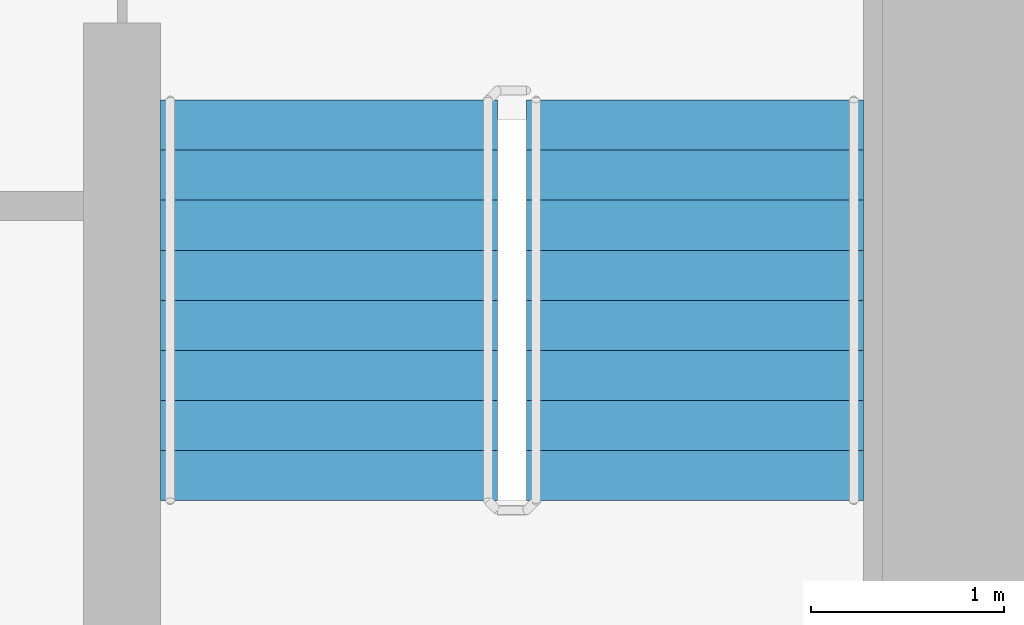
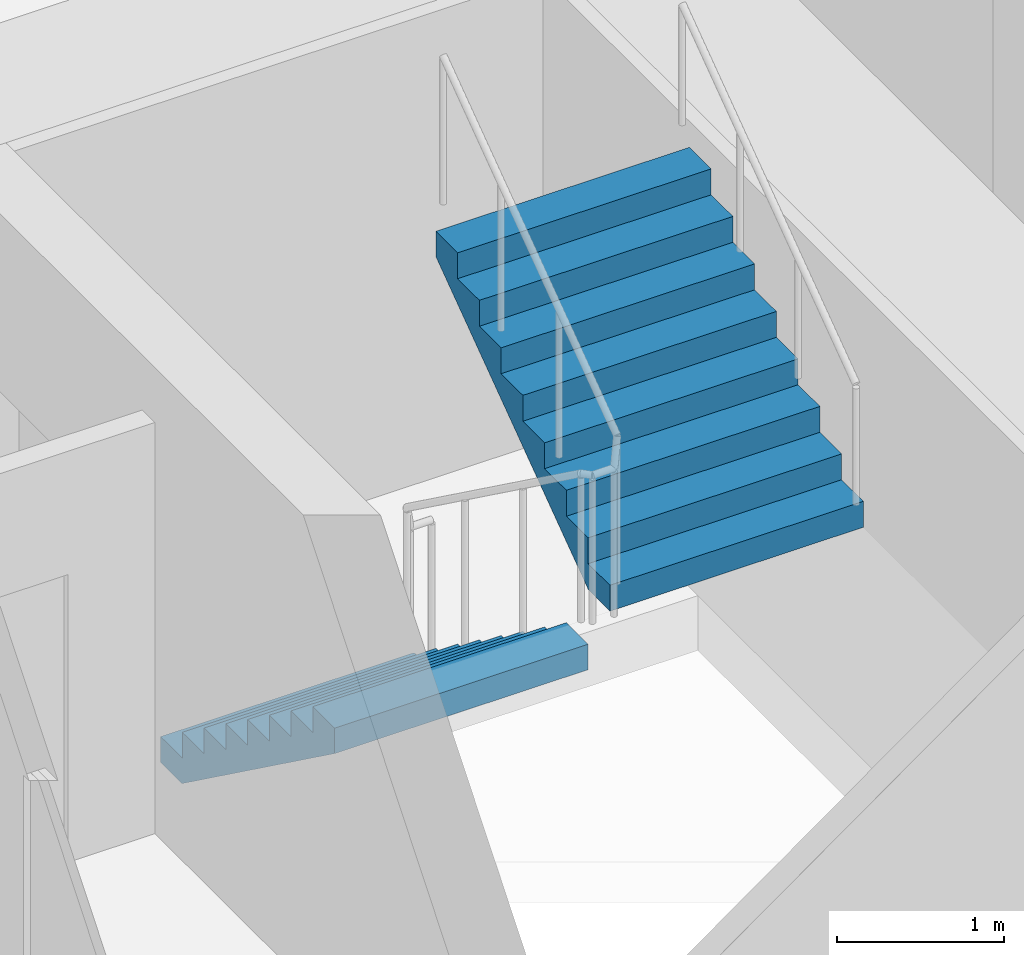
# One storey, part 20 of 25: 2 stair flights, 1 element without a shape of its own.
"""IFC4 building model written with IfcOpenShell, lengths in metres."""

from ifc_helpers import new_model, si_unit, direction, frame, origin, place, context, subcontext, project, spatial, faceted_brep, material, type_object, element, aggregate, save


model = new_model("IFC4")

# Units and contexts
model_context = context("Model", 3, precision=1e-05, world=origin(), true_north=direction((0.0, 1.0)))
body_context = subcontext(model_context, "Body", "Model", "MODEL_VIEW")
ifc_project = project(units=[si_unit("LENGTHUNIT", "METRE"), si_unit("AREAUNIT", "SQUARE_METRE"), si_unit("VOLUMEUNIT", "CUBIC_METRE"), si_unit("PLANEANGLEUNIT", "RADIAN"), si_unit("MASSUNIT", "GRAM", prefix="KILO")], contexts=[model_context])

# Site, building, storey
site_placement = place(None, origin())
site = spatial("IfcSite", under=ifc_project, at=site_placement, CompositionType="ELEMENT")
building_placement = place(site_placement, origin())
building = spatial("IfcBuilding", under=site, at=building_placement, Name="Ipe Terrace Towers", CompositionType="ELEMENT")
storey_placement = place(building_placement, frame((0.0, 0.0, 58.5)))
storey = spatial("IfcBuildingStorey", under=building, at=storey_placement, Name="L15", CompositionType="ELEMENT", Elevation=58.5)

# Stair, stair flights
ifc_material_1 = material(Name="Concrete C30/37", Category="concrete")
stair_type = type_object("IfcStairType", Name="Protected exit stair", PredefinedType="HALF_TURN_STAIR", material=ifc_material_1)
stair_placement = place(storey_placement, origin())
stair = element("IfcStair", 1, at=stair_placement, inside=storey, type_object=stair_type, Name="L15 Exit stair T2-C2", PredefinedType="HALF_TURN_STAIR")
ifc_material_2 = material(Name="Concrete C30/37", Category="concrete")
stair_flight_type = type_object("IfcStairFlightType", Name="Exit stair flight 1750", PredefinedType="STRAIGHT", material=ifc_material_2)
stair_flight_1_placement = place(storey_placement, frame((38.77490234375, -9.699951171875, 0.0), z_axis=(0.0, 0.0, 1.0), x_axis=(0.0, -1.0, 0.0)))
stair_flight_1 = element("IfcStairFlight", 2, at=stair_flight_1_placement, type_object=stair_flight_type, Name="T2-ST2 flight 1", NumberOfRisers=9, NumberOfTreads=8, PredefinedType="STRAIGHT", RiserHeight=0.188888889, TreadLength=0.26, context=body_context, shape_type="Brep", body=[
    faceted_brep([(0.255126953125, -0.875, 0.0), (2.080078125, -0.875, 1.325927734375), (2.080078125, -0.875, 1.51123046875), (1.820068359375, -0.875, 1.51123046875), (1.820068359375, -0.875, 1.322265625), (1.56005859375, -0.875, 1.322265625), (1.56005859375, -0.875, 1.13330078125), (1.300048828125, -0.875, 1.13330078125), (1.300048828125, -0.875, 0.9443359375), (1.0400390625, -0.875, 0.9443359375), (1.0400390625, -0.875, 0.755615234375), (0.780029296875, -0.875, 0.755615234375), (0.780029296875, -0.875, 0.566650390625), (0.52001953125, -0.875, 0.566650390625), (0.52001953125, -0.875, 0.377685546875), (0.260009765625, -0.875, 0.377685546875), (0.260009765625, -0.875, 0.18896484375), (0.0, -0.875, 0.18896484375), (0.0, -0.875, 0.0), (0.0, 0.875, 0.0), (0.0, 0.875, 0.18896484375), (0.260009765625, 0.875, 0.18896484375), (0.260009765625, 0.875, 0.377685546875), (0.52001953125, 0.875, 0.377685546875), (0.52001953125, 0.875, 0.566650390625), (0.780029296875, 0.875, 0.566650390625), (0.780029296875, 0.875, 0.755615234375), (1.0400390625, 0.875, 0.755615234375), (1.0400390625, 0.875, 0.9443359375), (1.300048828125, 0.875, 0.9443359375), (1.300048828125, 0.875, 1.13330078125), (1.56005859375, 0.875, 1.13330078125), (1.56005859375, 0.875, 1.322265625), (1.820068359375, 0.875, 1.322265625), (1.820068359375, 0.875, 1.51123046875), (2.080078125, 0.875, 1.51123046875), (2.080078125, 0.875, 1.325927734375), (0.255126953125, 0.875, 0.0), (0.0, -0.300048828125, 0.18896484375), (0.0, -0.1201171875, 0.18896484375), (0.0, -0.06005859375, 0.18896484375), (0.0, -0.030029296875, 0.18896484375), (0.0, -0.010009765625, 0.18896484375), (0.0, 0.0, 0.18896484375), (0.0, 0.010009765625, 0.18896484375), (0.0, 0.030029296875, 0.18896484375), (0.0, 0.06005859375, 0.18896484375), (0.0, 0.1201171875, 0.18896484375), (0.0, 0.300048828125, 0.18896484375), (0.0, 0.300048828125, 0.0), (0.0, 0.1201171875, 0.0), (0.0, 0.06005859375, 0.0), (0.0, 0.030029296875, 0.0), (0.0, 0.010009765625, 0.0), (0.0, 0.0, 0.0), (0.0, -0.010009765625, 0.0), (0.0, -0.030029296875, 0.0), (0.0, -0.06005859375, 0.0), (0.0, -0.1201171875, 0.0), (0.0, -0.300048828125, 0.0), (0.260009765625, -0.300048828125, 0.18896484375), (0.260009765625, -0.1201171875, 0.18896484375), (0.260009765625, -0.06005859375, 0.18896484375), (0.260009765625, -0.030029296875, 0.18896484375), (0.260009765625, -0.010009765625, 0.18896484375), (0.260009765625, 0.0, 0.18896484375), (0.260009765625, 0.010009765625, 0.18896484375), (0.260009765625, 0.030029296875, 0.18896484375), (0.260009765625, 0.06005859375, 0.18896484375), (0.260009765625, 0.1201171875, 0.18896484375), (0.260009765625, 0.300048828125, 0.18896484375), (0.260009765625, -0.300048828125, 0.377685546875), (0.260009765625, -0.1201171875, 0.377685546875), (0.260009765625, -0.06005859375, 0.377685546875), (0.260009765625, -0.030029296875, 0.377685546875), (0.260009765625, -0.010009765625, 0.377685546875), (0.260009765625, 0.0, 0.377685546875), (0.260009765625, 0.010009765625, 0.377685546875), (0.260009765625, 0.030029296875, 0.377685546875), (0.260009765625, 0.06005859375, 0.377685546875), (0.260009765625, 0.1201171875, 0.377685546875), (0.260009765625, 0.300048828125, 0.377685546875), (0.52001953125, -0.300048828125, 0.377685546875), (0.52001953125, -0.1201171875, 0.377685546875), (0.52001953125, -0.06005859375, 0.377685546875), (0.52001953125, -0.030029296875, 0.377685546875), (0.52001953125, -0.010009765625, 0.377685546875), (0.52001953125, 0.0, 0.377685546875), (0.52001953125, 0.010009765625, 0.377685546875), (0.52001953125, 0.030029296875, 0.377685546875), (0.52001953125, 0.06005859375, 0.377685546875), (0.52001953125, 0.1201171875, 0.377685546875), (0.52001953125, 0.300048828125, 0.377685546875), (0.52001953125, -0.300048828125, 0.566650390625), (0.52001953125, -0.1201171875, 0.566650390625), (0.52001953125, -0.06005859375, 0.566650390625), (0.52001953125, -0.030029296875, 0.566650390625), (0.52001953125, -0.010009765625, 0.566650390625), (0.52001953125, 0.0, 0.566650390625), (0.52001953125, 0.010009765625, 0.566650390625), (0.52001953125, 0.030029296875, 0.566650390625), (0.52001953125, 0.06005859375, 0.566650390625), (0.52001953125, 0.1201171875, 0.566650390625), (0.52001953125, 0.300048828125, 0.566650390625), (0.780029296875, -0.300048828125, 0.566650390625), (0.780029296875, -0.1201171875, 0.566650390625), (0.780029296875, -0.06005859375, 0.566650390625), (0.780029296875, -0.030029296875, 0.566650390625), (0.780029296875, -0.010009765625, 0.566650390625), (0.780029296875, 0.0, 0.566650390625), (0.780029296875, 0.010009765625, 0.566650390625), (0.780029296875, 0.030029296875, 0.566650390625), (0.780029296875, 0.06005859375, 0.566650390625), (0.780029296875, 0.1201171875, 0.566650390625), (0.780029296875, 0.300048828125, 0.566650390625), (0.780029296875, -0.300048828125, 0.755615234375), (0.780029296875, -0.1201171875, 0.755615234375), (0.780029296875, -0.06005859375, 0.755615234375), (0.780029296875, -0.030029296875, 0.755615234375), (0.780029296875, -0.010009765625, 0.755615234375), (0.780029296875, 0.0, 0.755615234375), (0.780029296875, 0.010009765625, 0.755615234375), (0.780029296875, 0.030029296875, 0.755615234375), (0.780029296875, 0.06005859375, 0.755615234375), (0.780029296875, 0.1201171875, 0.755615234375), (0.780029296875, 0.300048828125, 0.755615234375), (1.0400390625, -0.300048828125, 0.755615234375), (1.0400390625, -0.1201171875, 0.755615234375), (1.0400390625, -0.06005859375, 0.755615234375), (1.0400390625, -0.030029296875, 0.755615234375), (1.0400390625, -0.010009765625, 0.755615234375), (1.0400390625, 0.0, 0.755615234375), (1.0400390625, 0.010009765625, 0.755615234375), (1.0400390625, 0.030029296875, 0.755615234375), (1.0400390625, 0.06005859375, 0.755615234375), (1.0400390625, 0.1201171875, 0.755615234375), (1.0400390625, 0.300048828125, 0.755615234375), (1.0400390625, -0.300048828125, 0.9443359375), (1.0400390625, -0.1201171875, 0.9443359375), (1.0400390625, -0.06005859375, 0.9443359375), (1.0400390625, -0.030029296875, 0.9443359375), (1.0400390625, -0.010009765625, 0.9443359375), (1.0400390625, 0.0, 0.9443359375), (1.0400390625, 0.010009765625, 0.9443359375), (1.0400390625, 0.030029296875, 0.9443359375), (1.0400390625, 0.06005859375, 0.9443359375), (1.0400390625, 0.1201171875, 0.9443359375), (1.0400390625, 0.300048828125, 0.9443359375), (1.300048828125, -0.300048828125, 0.9443359375), (1.300048828125, -0.1201171875, 0.9443359375), (1.300048828125, -0.06005859375, 0.9443359375), (1.300048828125, -0.030029296875, 0.9443359375), (1.300048828125, -0.010009765625, 0.9443359375), (1.300048828125, 0.0, 0.9443359375), (1.300048828125, 0.010009765625, 0.9443359375), (1.300048828125, 0.030029296875, 0.9443359375), (1.300048828125, 0.06005859375, 0.9443359375), (1.300048828125, 0.1201171875, 0.9443359375), (1.300048828125, 0.300048828125, 0.9443359375), (1.300048828125, -0.300048828125, 1.13330078125), (1.300048828125, -0.1201171875, 1.13330078125), (1.300048828125, -0.06005859375, 1.13330078125), (1.300048828125, -0.030029296875, 1.13330078125), (1.300048828125, -0.010009765625, 1.13330078125), (1.300048828125, 0.0, 1.13330078125), (1.300048828125, 0.010009765625, 1.13330078125), (1.300048828125, 0.030029296875, 1.13330078125), (1.300048828125, 0.06005859375, 1.13330078125), (1.300048828125, 0.1201171875, 1.13330078125), (1.300048828125, 0.300048828125, 1.13330078125), (1.56005859375, -0.300048828125, 1.13330078125), (1.56005859375, -0.1201171875, 1.13330078125), (1.56005859375, -0.06005859375, 1.13330078125), (1.56005859375, -0.030029296875, 1.13330078125), (1.56005859375, -0.010009765625, 1.13330078125), (1.56005859375, 0.0, 1.13330078125), (1.56005859375, 0.010009765625, 1.13330078125), (1.56005859375, 0.030029296875, 1.13330078125), (1.56005859375, 0.06005859375, 1.13330078125), (1.56005859375, 0.1201171875, 1.13330078125), (1.56005859375, 0.300048828125, 1.13330078125), (1.56005859375, -0.300048828125, 1.322265625), (1.56005859375, -0.1201171875, 1.322265625), (1.56005859375, -0.06005859375, 1.322265625), (1.56005859375, -0.030029296875, 1.322265625), (1.56005859375, -0.010009765625, 1.322265625), (1.56005859375, 0.0, 1.322265625), (1.56005859375, 0.010009765625, 1.322265625), (1.56005859375, 0.030029296875, 1.322265625), (1.56005859375, 0.06005859375, 1.322265625), (1.56005859375, 0.1201171875, 1.322265625), (1.56005859375, 0.300048828125, 1.322265625), (1.820068359375, -0.300048828125, 1.322265625), (1.820068359375, -0.1201171875, 1.322265625), (1.820068359375, -0.06005859375, 1.322265625), (1.820068359375, -0.030029296875, 1.322265625), (1.820068359375, -0.010009765625, 1.322265625), (1.820068359375, 0.0, 1.322265625), (1.820068359375, 0.010009765625, 1.322265625), (1.820068359375, 0.030029296875, 1.322265625), (1.820068359375, 0.06005859375, 1.322265625), (1.820068359375, 0.1201171875, 1.322265625), (1.820068359375, 0.300048828125, 1.322265625), (1.820068359375, -0.300048828125, 1.51123046875), (1.820068359375, -0.1201171875, 1.51123046875), (1.820068359375, -0.06005859375, 1.51123046875), (1.820068359375, -0.030029296875, 1.51123046875), (1.820068359375, -0.010009765625, 1.51123046875), (1.820068359375, 0.0, 1.51123046875), (1.820068359375, 0.010009765625, 1.51123046875), (1.820068359375, 0.030029296875, 1.51123046875), (1.820068359375, 0.06005859375, 1.51123046875), (1.820068359375, 0.1201171875, 1.51123046875), (1.820068359375, 0.300048828125, 1.51123046875), (2.080078125, -0.300048828125, 1.51123046875), (2.080078125, -0.1201171875, 1.51123046875), (2.080078125, -0.06005859375, 1.51123046875), (2.080078125, -0.030029296875, 1.51123046875), (2.080078125, -0.010009765625, 1.51123046875), (2.080078125, 0.0, 1.51123046875), (2.080078125, 0.010009765625, 1.51123046875), (2.080078125, 0.030029296875, 1.51123046875), (2.080078125, 0.06005859375, 1.51123046875), (2.080078125, 0.1201171875, 1.51123046875), (2.080078125, 0.300048828125, 1.51123046875), (2.080078125, -0.300048828125, 1.325927734375), (2.080078125, -0.1201171875, 1.325927734375), (2.080078125, -0.06005859375, 1.325927734375), (2.080078125, -0.030029296875, 1.325927734375), (2.080078125, -0.010009765625, 1.325927734375), (2.080078125, 0.0, 1.325927734375), (2.080078125, 0.010009765625, 1.325927734375), (2.080078125, 0.030029296875, 1.325927734375), (2.080078125, 0.06005859375, 1.325927734375), (2.080078125, 0.1201171875, 1.325927734375), (2.080078125, 0.300048828125, 1.325927734375), (0.255126953125, -0.300048828125, 0.0), (0.255126953125, -0.1201171875, 0.0), (0.255126953125, -0.06005859375, 0.0), (0.255126953125, -0.030029296875, 0.0), (0.255126953125, -0.010009765625, 0.0), (0.255126953125, 0.0, 0.0), (0.255126953125, 0.010009765625, 0.0), (0.255126953125, 0.030029296875, 0.0), (0.255126953125, 0.06005859375, 0.0), (0.255126953125, 0.1201171875, 0.0), (0.255126953125, 0.300048828125, 0.0)], [[[0, 1, 2, 3, 4, 5, 6, 7, 8, 9, 10, 11, 12, 13, 14, 15, 16, 17, 18]], [[19, 20, 21, 22, 23, 24, 25, 26, 27, 28, 29, 30, 31, 32, 33, 34, 35, 36, 37]], [[17, 38, 39, 40, 41, 42, 43, 44, 45, 46, 47, 48, 20, 19, 49, 50, 51, 52, 53, 54, 55, 56, 57, 58, 59, 18]], [[16, 60, 61, 62, 63, 64, 65, 66, 67, 68, 69, 70, 21, 20, 48, 47, 46, 45, 44, 43, 42, 41, 40, 39, 38, 17]], [[15, 71, 72, 73, 74, 75, 76, 77, 78, 79, 80, 81, 22, 21, 70, 69, 68, 67, 66, 65, 64, 63, 62, 61, 60, 16]], [[14, 82, 83, 84, 85, 86, 87, 88, 89, 90, 91, 92, 23, 22, 81, 80, 79, 78, 77, 76, 75, 74, 73, 72, 71, 15]], [[13, 93, 94, 95, 96, 97, 98, 99, 100, 101, 102, 103, 24, 23, 92, 91, 90, 89, 88, 87, 86, 85, 84, 83, 82, 14]], [[12, 104, 105, 106, 107, 108, 109, 110, 111, 112, 113, 114, 25, 24, 103, 102, 101, 100, 99, 98, 97, 96, 95, 94, 93, 13]], [[11, 115, 116, 117, 118, 119, 120, 121, 122, 123, 124, 125, 26, 25, 114, 113, 112, 111, 110, 109, 108, 107, 106, 105, 104, 12]], [[10, 126, 127, 128, 129, 130, 131, 132, 133, 134, 135, 136, 27, 26, 125, 124, 123, 122, 121, 120, 119, 118, 117, 116, 115, 11]], [[9, 137, 138, 139, 140, 141, 142, 143, 144, 145, 146, 147, 28, 27, 136, 135, 134, 133, 132, 131, 130, 129, 128, 127, 126, 10]], [[8, 148, 149, 150, 151, 152, 153, 154, 155, 156, 157, 158, 29, 28, 147, 146, 145, 144, 143, 142, 141, 140, 139, 138, 137, 9]], [[7, 159, 160, 161, 162, 163, 164, 165, 166, 167, 168, 169, 30, 29, 158, 157, 156, 155, 154, 153, 152, 151, 150, 149, 148, 8]], [[6, 170, 171, 172, 173, 174, 175, 176, 177, 178, 179, 180, 31, 30, 169, 168, 167, 166, 165, 164, 163, 162, 161, 160, 159, 7]], [[5, 181, 182, 183, 184, 185, 186, 187, 188, 189, 190, 191, 32, 31, 180, 179, 178, 177, 176, 175, 174, 173, 172, 171, 170, 6]], [[4, 192, 193, 194, 195, 196, 197, 198, 199, 200, 201, 202, 33, 32, 191, 190, 189, 188, 187, 186, 185, 184, 183, 182, 181, 5]], [[3, 203, 204, 205, 206, 207, 208, 209, 210, 211, 212, 213, 34, 33, 202, 201, 200, 199, 198, 197, 196, 195, 194, 193, 192, 4]], [[2, 214, 215, 216, 217, 218, 219, 220, 221, 222, 223, 224, 35, 34, 213, 212, 211, 210, 209, 208, 207, 206, 205, 204, 203, 3]], [[1, 225, 226, 227, 228, 229, 230, 231, 232, 233, 234, 235, 36, 35, 224, 223, 222, 221, 220, 219, 218, 217, 216, 215, 214, 2]], [[0, 236, 237, 238, 239, 240, 241, 242, 243, 244, 245, 246, 37, 36, 235, 234, 233, 232, 231, 230, 229, 228, 227, 226, 225, 1]], [[18, 59, 58, 57, 56, 55, 54, 53, 52, 51, 50, 49, 19, 37, 246, 245, 244, 243, 242, 241, 240, 239, 238, 237, 236, 0]]]),
])
stair_flight_2_placement = place(storey_placement, frame((40.675048828125, -11.780029296875, 1.699951171875), z_axis=(0.0, 0.0, 1.0), x_axis=(0.0, 1.0, 0.0)))
stair_flight_2 = element("IfcStairFlight", 3, at=stair_flight_2_placement, type_object=stair_flight_type, Name="T2-ST2 flight 2", NumberOfRisers=9, NumberOfTreads=8, PredefinedType="STRAIGHT", RiserHeight=0.188888889, TreadLength=0.26, context=body_context, shape_type="Brep", body=[
    faceted_brep([(0.255126953125, -0.875, 0.0), (2.080078125, -0.875, 1.325927734375), (2.080078125, -0.875, 1.51123046875), (1.820068359375, -0.875, 1.51123046875), (1.820068359375, -0.875, 1.322265625), (1.56005859375, -0.875, 1.322265625), (1.56005859375, -0.875, 1.13330078125), (1.300048828125, -0.875, 1.13330078125), (1.300048828125, -0.875, 0.9443359375), (1.0400390625, -0.875, 0.9443359375), (1.0400390625, -0.875, 0.755615234375), (0.780029296875, -0.875, 0.755615234375), (0.780029296875, -0.875, 0.566650390625), (0.52001953125, -0.875, 0.566650390625), (0.52001953125, -0.875, 0.377685546875), (0.260009765625, -0.875, 0.377685546875), (0.260009765625, -0.875, 0.18896484375), (0.0, -0.875, 0.18896484375), (0.0, -0.875, 0.0), (0.0, 0.875, 0.0), (0.0, 0.875, 0.18896484375), (0.260009765625, 0.875, 0.18896484375), (0.260009765625, 0.875, 0.377685546875), (0.52001953125, 0.875, 0.377685546875), (0.52001953125, 0.875, 0.566650390625), (0.780029296875, 0.875, 0.566650390625), (0.780029296875, 0.875, 0.755615234375), (1.0400390625, 0.875, 0.755615234375), (1.0400390625, 0.875, 0.9443359375), (1.300048828125, 0.875, 0.9443359375), (1.300048828125, 0.875, 1.13330078125), (1.56005859375, 0.875, 1.13330078125), (1.56005859375, 0.875, 1.322265625), (1.820068359375, 0.875, 1.322265625), (1.820068359375, 0.875, 1.51123046875), (2.080078125, 0.875, 1.51123046875), (2.080078125, 0.875, 1.325927734375), (0.255126953125, 0.875, 0.0), (0.0, -0.300048828125, 0.18896484375), (0.0, -0.1201171875, 0.18896484375), (0.0, -0.06005859375, 0.18896484375), (0.0, -0.030029296875, 0.18896484375), (0.0, -0.010009765625, 0.18896484375), (0.0, 0.0, 0.18896484375), (0.0, 0.010009765625, 0.18896484375), (0.0, 0.030029296875, 0.18896484375), (0.0, 0.06005859375, 0.18896484375), (0.0, 0.1201171875, 0.18896484375), (0.0, 0.300048828125, 0.18896484375), (0.0, 0.300048828125, 0.0), (0.0, 0.1201171875, 0.0), (0.0, 0.06005859375, 0.0), (0.0, 0.030029296875, 0.0), (0.0, 0.010009765625, 0.0), (0.0, 0.0, 0.0), (0.0, -0.010009765625, 0.0), (0.0, -0.030029296875, 0.0), (0.0, -0.06005859375, 0.0), (0.0, -0.1201171875, 0.0), (0.0, -0.300048828125, 0.0), (0.260009765625, -0.300048828125, 0.18896484375), (0.260009765625, -0.1201171875, 0.18896484375), (0.260009765625, -0.06005859375, 0.18896484375), (0.260009765625, -0.030029296875, 0.18896484375), (0.260009765625, -0.010009765625, 0.18896484375), (0.260009765625, 0.0, 0.18896484375), (0.260009765625, 0.010009765625, 0.18896484375), (0.260009765625, 0.030029296875, 0.18896484375), (0.260009765625, 0.06005859375, 0.18896484375), (0.260009765625, 0.1201171875, 0.18896484375), (0.260009765625, 0.300048828125, 0.18896484375), (0.260009765625, -0.300048828125, 0.377685546875), (0.260009765625, -0.1201171875, 0.377685546875), (0.260009765625, -0.06005859375, 0.377685546875), (0.260009765625, -0.030029296875, 0.377685546875), (0.260009765625, -0.010009765625, 0.377685546875), (0.260009765625, 0.0, 0.377685546875), (0.260009765625, 0.010009765625, 0.377685546875), (0.260009765625, 0.030029296875, 0.377685546875), (0.260009765625, 0.06005859375, 0.377685546875), (0.260009765625, 0.1201171875, 0.377685546875), (0.260009765625, 0.300048828125, 0.377685546875), (0.52001953125, -0.300048828125, 0.377685546875), (0.52001953125, -0.1201171875, 0.377685546875), (0.52001953125, -0.06005859375, 0.377685546875), (0.52001953125, -0.030029296875, 0.377685546875), (0.52001953125, -0.010009765625, 0.377685546875), (0.52001953125, 0.0, 0.377685546875), (0.52001953125, 0.010009765625, 0.377685546875), (0.52001953125, 0.030029296875, 0.377685546875), (0.52001953125, 0.06005859375, 0.377685546875), (0.52001953125, 0.1201171875, 0.377685546875), (0.52001953125, 0.300048828125, 0.377685546875), (0.52001953125, -0.300048828125, 0.566650390625), (0.52001953125, -0.1201171875, 0.566650390625), (0.52001953125, -0.06005859375, 0.566650390625), (0.52001953125, -0.030029296875, 0.566650390625), (0.52001953125, -0.010009765625, 0.566650390625), (0.52001953125, 0.0, 0.566650390625), (0.52001953125, 0.010009765625, 0.566650390625), (0.52001953125, 0.030029296875, 0.566650390625), (0.52001953125, 0.06005859375, 0.566650390625), (0.52001953125, 0.1201171875, 0.566650390625), (0.52001953125, 0.300048828125, 0.566650390625), (0.780029296875, -0.300048828125, 0.566650390625), (0.780029296875, -0.1201171875, 0.566650390625), (0.780029296875, -0.06005859375, 0.566650390625), (0.780029296875, -0.030029296875, 0.566650390625), (0.780029296875, -0.010009765625, 0.566650390625), (0.780029296875, 0.0, 0.566650390625), (0.780029296875, 0.010009765625, 0.566650390625), (0.780029296875, 0.030029296875, 0.566650390625), (0.780029296875, 0.06005859375, 0.566650390625), (0.780029296875, 0.1201171875, 0.566650390625), (0.780029296875, 0.300048828125, 0.566650390625), (0.780029296875, -0.300048828125, 0.755615234375), (0.780029296875, -0.1201171875, 0.755615234375), (0.780029296875, -0.06005859375, 0.755615234375), (0.780029296875, -0.030029296875, 0.755615234375), (0.780029296875, -0.010009765625, 0.755615234375), (0.780029296875, 0.0, 0.755615234375), (0.780029296875, 0.010009765625, 0.755615234375), (0.780029296875, 0.030029296875, 0.755615234375), (0.780029296875, 0.06005859375, 0.755615234375), (0.780029296875, 0.1201171875, 0.755615234375), (0.780029296875, 0.300048828125, 0.755615234375), (1.0400390625, -0.300048828125, 0.755615234375), (1.0400390625, -0.1201171875, 0.755615234375), (1.0400390625, -0.06005859375, 0.755615234375), (1.0400390625, -0.030029296875, 0.755615234375), (1.0400390625, -0.010009765625, 0.755615234375), (1.0400390625, 0.0, 0.755615234375), (1.0400390625, 0.010009765625, 0.755615234375), (1.0400390625, 0.030029296875, 0.755615234375), (1.0400390625, 0.06005859375, 0.755615234375), (1.0400390625, 0.1201171875, 0.755615234375), (1.0400390625, 0.300048828125, 0.755615234375), (1.0400390625, -0.300048828125, 0.9443359375), (1.0400390625, -0.1201171875, 0.9443359375), (1.0400390625, -0.06005859375, 0.9443359375), (1.0400390625, -0.030029296875, 0.9443359375), (1.0400390625, -0.010009765625, 0.9443359375), (1.0400390625, 0.0, 0.9443359375), (1.0400390625, 0.010009765625, 0.9443359375), (1.0400390625, 0.030029296875, 0.9443359375), (1.0400390625, 0.06005859375, 0.9443359375), (1.0400390625, 0.1201171875, 0.9443359375), (1.0400390625, 0.300048828125, 0.9443359375), (1.300048828125, -0.300048828125, 0.9443359375), (1.300048828125, -0.1201171875, 0.9443359375), (1.300048828125, -0.06005859375, 0.9443359375), (1.300048828125, -0.030029296875, 0.9443359375), (1.300048828125, -0.010009765625, 0.9443359375), (1.300048828125, 0.0, 0.9443359375), (1.300048828125, 0.010009765625, 0.9443359375), (1.300048828125, 0.030029296875, 0.9443359375), (1.300048828125, 0.06005859375, 0.9443359375), (1.300048828125, 0.1201171875, 0.9443359375), (1.300048828125, 0.300048828125, 0.9443359375), (1.300048828125, -0.300048828125, 1.13330078125), (1.300048828125, -0.1201171875, 1.13330078125), (1.300048828125, -0.06005859375, 1.13330078125), (1.300048828125, -0.030029296875, 1.13330078125), (1.300048828125, -0.010009765625, 1.13330078125), (1.300048828125, 0.0, 1.13330078125), (1.300048828125, 0.010009765625, 1.13330078125), (1.300048828125, 0.030029296875, 1.13330078125), (1.300048828125, 0.06005859375, 1.13330078125), (1.300048828125, 0.1201171875, 1.13330078125), (1.300048828125, 0.300048828125, 1.13330078125), (1.56005859375, -0.300048828125, 1.13330078125), (1.56005859375, -0.1201171875, 1.13330078125), (1.56005859375, -0.06005859375, 1.13330078125), (1.56005859375, -0.030029296875, 1.13330078125), (1.56005859375, -0.010009765625, 1.13330078125), (1.56005859375, 0.0, 1.13330078125), (1.56005859375, 0.010009765625, 1.13330078125), (1.56005859375, 0.030029296875, 1.13330078125), (1.56005859375, 0.06005859375, 1.13330078125), (1.56005859375, 0.1201171875, 1.13330078125), (1.56005859375, 0.300048828125, 1.13330078125), (1.56005859375, -0.300048828125, 1.322265625), (1.56005859375, -0.1201171875, 1.322265625), (1.56005859375, -0.06005859375, 1.322265625), (1.56005859375, -0.030029296875, 1.322265625), (1.56005859375, -0.010009765625, 1.322265625), (1.56005859375, 0.0, 1.322265625), (1.56005859375, 0.010009765625, 1.322265625), (1.56005859375, 0.030029296875, 1.322265625), (1.56005859375, 0.06005859375, 1.322265625), (1.56005859375, 0.1201171875, 1.322265625), (1.56005859375, 0.300048828125, 1.322265625), (1.820068359375, -0.300048828125, 1.322265625), (1.820068359375, -0.1201171875, 1.322265625), (1.820068359375, -0.06005859375, 1.322265625), (1.820068359375, -0.030029296875, 1.322265625), (1.820068359375, -0.010009765625, 1.322265625), (1.820068359375, 0.0, 1.322265625), (1.820068359375, 0.010009765625, 1.322265625), (1.820068359375, 0.030029296875, 1.322265625), (1.820068359375, 0.06005859375, 1.322265625), (1.820068359375, 0.1201171875, 1.322265625), (1.820068359375, 0.300048828125, 1.322265625), (1.820068359375, -0.300048828125, 1.51123046875), (1.820068359375, -0.1201171875, 1.51123046875), (1.820068359375, -0.06005859375, 1.51123046875), (1.820068359375, -0.030029296875, 1.51123046875), (1.820068359375, -0.010009765625, 1.51123046875), (1.820068359375, 0.0, 1.51123046875), (1.820068359375, 0.010009765625, 1.51123046875), (1.820068359375, 0.030029296875, 1.51123046875), (1.820068359375, 0.06005859375, 1.51123046875), (1.820068359375, 0.1201171875, 1.51123046875), (1.820068359375, 0.300048828125, 1.51123046875), (2.080078125, -0.300048828125, 1.51123046875), (2.080078125, -0.1201171875, 1.51123046875), (2.080078125, -0.06005859375, 1.51123046875), (2.080078125, -0.030029296875, 1.51123046875), (2.080078125, -0.010009765625, 1.51123046875), (2.080078125, 0.0, 1.51123046875), (2.080078125, 0.010009765625, 1.51123046875), (2.080078125, 0.030029296875, 1.51123046875), (2.080078125, 0.06005859375, 1.51123046875), (2.080078125, 0.1201171875, 1.51123046875), (2.080078125, 0.300048828125, 1.51123046875), (2.080078125, -0.300048828125, 1.325927734375), (2.080078125, -0.1201171875, 1.325927734375), (2.080078125, -0.06005859375, 1.325927734375), (2.080078125, -0.030029296875, 1.325927734375), (2.080078125, -0.010009765625, 1.325927734375), (2.080078125, 0.0, 1.325927734375), (2.080078125, 0.010009765625, 1.325927734375), (2.080078125, 0.030029296875, 1.325927734375), (2.080078125, 0.06005859375, 1.325927734375), (2.080078125, 0.1201171875, 1.325927734375), (2.080078125, 0.300048828125, 1.325927734375), (0.255126953125, -0.300048828125, 0.0), (0.255126953125, -0.1201171875, 0.0), (0.255126953125, -0.06005859375, 0.0), (0.255126953125, -0.030029296875, 0.0), (0.255126953125, -0.010009765625, 0.0), (0.255126953125, 0.0, 0.0), (0.255126953125, 0.010009765625, 0.0), (0.255126953125, 0.030029296875, 0.0), (0.255126953125, 0.06005859375, 0.0), (0.255126953125, 0.1201171875, 0.0), (0.255126953125, 0.300048828125, 0.0)], [[[0, 1, 2, 3, 4, 5, 6, 7, 8, 9, 10, 11, 12, 13, 14, 15, 16, 17, 18]], [[19, 20, 21, 22, 23, 24, 25, 26, 27, 28, 29, 30, 31, 32, 33, 34, 35, 36, 37]], [[17, 38, 39, 40, 41, 42, 43, 44, 45, 46, 47, 48, 20, 19, 49, 50, 51, 52, 53, 54, 55, 56, 57, 58, 59, 18]], [[16, 60, 61, 62, 63, 64, 65, 66, 67, 68, 69, 70, 21, 20, 48, 47, 46, 45, 44, 43, 42, 41, 40, 39, 38, 17]], [[15, 71, 72, 73, 74, 75, 76, 77, 78, 79, 80, 81, 22, 21, 70, 69, 68, 67, 66, 65, 64, 63, 62, 61, 60, 16]], [[14, 82, 83, 84, 85, 86, 87, 88, 89, 90, 91, 92, 23, 22, 81, 80, 79, 78, 77, 76, 75, 74, 73, 72, 71, 15]], [[13, 93, 94, 95, 96, 97, 98, 99, 100, 101, 102, 103, 24, 23, 92, 91, 90, 89, 88, 87, 86, 85, 84, 83, 82, 14]], [[12, 104, 105, 106, 107, 108, 109, 110, 111, 112, 113, 114, 25, 24, 103, 102, 101, 100, 99, 98, 97, 96, 95, 94, 93, 13]], [[11, 115, 116, 117, 118, 119, 120, 121, 122, 123, 124, 125, 26, 25, 114, 113, 112, 111, 110, 109, 108, 107, 106, 105, 104, 12]], [[10, 126, 127, 128, 129, 130, 131, 132, 133, 134, 135, 136, 27, 26, 125, 124, 123, 122, 121, 120, 119, 118, 117, 116, 115, 11]], [[9, 137, 138, 139, 140, 141, 142, 143, 144, 145, 146, 147, 28, 27, 136, 135, 134, 133, 132, 131, 130, 129, 128, 127, 126, 10]], [[8, 148, 149, 150, 151, 152, 153, 154, 155, 156, 157, 158, 29, 28, 147, 146, 145, 144, 143, 142, 141, 140, 139, 138, 137, 9]], [[7, 159, 160, 161, 162, 163, 164, 165, 166, 167, 168, 169, 30, 29, 158, 157, 156, 155, 154, 153, 152, 151, 150, 149, 148, 8]], [[6, 170, 171, 172, 173, 174, 175, 176, 177, 178, 179, 180, 31, 30, 169, 168, 167, 166, 165, 164, 163, 162, 161, 160, 159, 7]], [[5, 181, 182, 183, 184, 185, 186, 187, 188, 189, 190, 191, 32, 31, 180, 179, 178, 177, 176, 175, 174, 173, 172, 171, 170, 6]], [[4, 192, 193, 194, 195, 196, 197, 198, 199, 200, 201, 202, 33, 32, 191, 190, 189, 188, 187, 186, 185, 184, 183, 182, 181, 5]], [[3, 203, 204, 205, 206, 207, 208, 209, 210, 211, 212, 213, 34, 33, 202, 201, 200, 199, 198, 197, 196, 195, 194, 193, 192, 4]], [[2, 214, 215, 216, 217, 218, 219, 220, 221, 222, 223, 224, 35, 34, 213, 212, 211, 210, 209, 208, 207, 206, 205, 204, 203, 3]], [[1, 225, 226, 227, 228, 229, 230, 231, 232, 233, 234, 235, 36, 35, 224, 223, 222, 221, 220, 219, 218, 217, 216, 215, 214, 2]], [[0, 236, 237, 238, 239, 240, 241, 242, 243, 244, 245, 246, 37, 36, 235, 234, 233, 232, 231, 230, 229, 228, 227, 226, 225, 1]], [[18, 59, 58, 57, 56, 55, 54, 53, 52, 51, 50, 49, 19, 37, 246, 245, 244, 243, 242, 241, 240, 239, 238, 237, 236, 0]]]),
])
aggregate(stair, [stair_flight_1, stair_flight_2])

save(model, "model.ifc")
